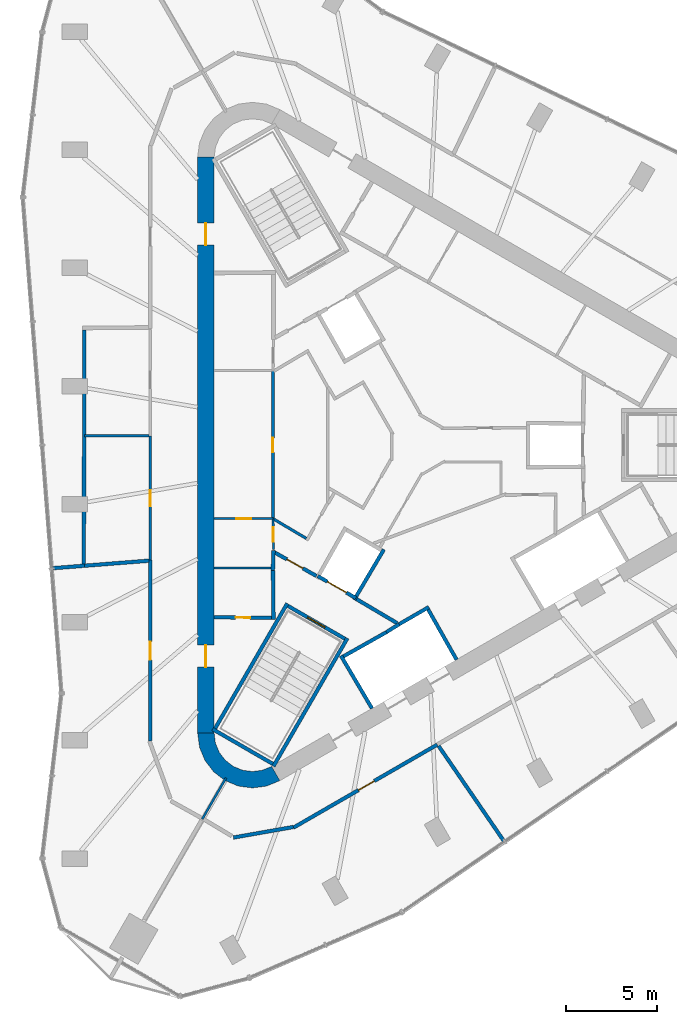
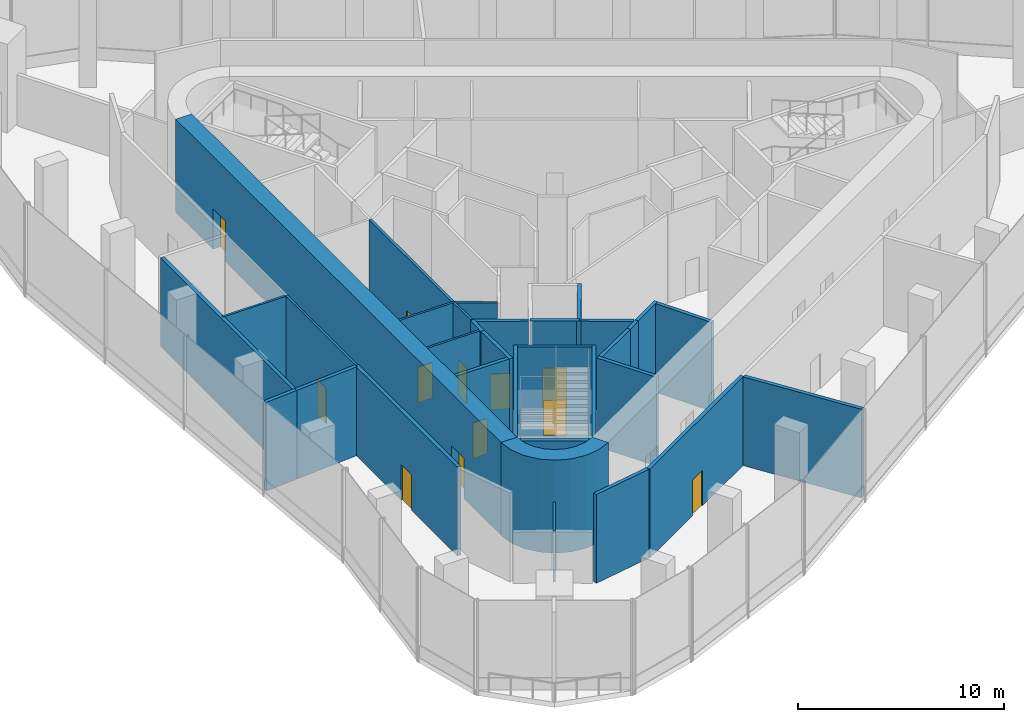
# One storey, part 7 of 13: 33 walls, 12 doors, 12 openings.
"""IFC4 building model written with IfcOpenShell, lengths in metres."""

from ifc_helpers import new_model, si_unit, direction, frame, frame_2d, origin, place, context, subcontext, project, spatial, polyline, rectangle, outline, extrude, material, layer, layer_set, type_object, element, fill, save


model = new_model("IFC4")

# Units and contexts
model_context = context("Model", 3, precision=1e-05, world=origin(), true_north=direction((0.0, 1.0)))
body_context = subcontext(model_context, "Body", "Model", "MODEL_VIEW")
ifc_project = project(units=[si_unit("LENGTHUNIT", "METRE"), si_unit("AREAUNIT", "SQUARE_METRE"), si_unit("VOLUMEUNIT", "CUBIC_METRE"), si_unit("PLANEANGLEUNIT", "RADIAN"), si_unit("MASSUNIT", "GRAM", prefix="KILO")], contexts=[model_context])

# Site, building, storey
site_placement = place(None, origin())
site = spatial("IfcSite", under=ifc_project, at=site_placement, CompositionType="ELEMENT")
building_placement = place(site_placement, origin())
building = spatial("IfcBuilding", under=site, at=building_placement, Name="Tanit Gate Tower", CompositionType="ELEMENT")
storey_placement = place(building_placement, frame((0.0, 0.0, 404.800048828125)))
storey = spatial("IfcBuildingStorey", under=building, at=storey_placement, Name="L92", CompositionType="ELEMENT", Elevation=404.800048828125)

# Wall, openings, doors
ifc_material_1 = material(Name="Concrete C40/50", Category="concrete")
ifc_layer_1 = layer(ifc_material_1, 0.89990234375)
ifc_layer_set_1 = layer_set([ifc_layer_1], Name="CORE WALL 900 C40/50")
wall_type_1 = type_object("IfcWallType", Name="CORE WALL 900 C40/50", PredefinedType="SHEAR", material=ifc_layer_set_1)
wall_1_placement = place(storey_placement, frame((-11.64990234375, 15.76171875, 0.0), z_axis=(0.0, 0.0, 1.0), x_axis=(0.0, -1.0, 0.0)))
wall_1 = element("IfcWall", 1, at=wall_1_placement, inside=storey, type_object=wall_type_1, Name="CORE WALL", PredefinedType="SHEAR", context=body_context, shape_type="SweptSolid", body=[
    extrude(rectangle(XDim=31.5234375, YDim=0.89990234375, at=frame_2d((15.76171875, 0.0))), origin(), (0.0, 0.0, 1.0), 5.5),
])
opening_1_placement = place(wall_1_placement, frame((3.61181640625, 0.0, 0.0)))
opening_1 = element("IfcOpeningElement", 2, at=opening_1_placement, cuts=wall_1, Name="Opening F12-92-FL2", PredefinedType="OPENING", context=body_context, shape_type="SweptSolid", body=[
    extrude(rectangle(XDim=1.199951171875, YDim=2.39990234375, at=frame_2d((0.60009765625, 1.199951171875))), frame((0.0, 0.4599609375, 0.0), z_axis=(0.0, -1.0, 0.0), x_axis=(1.0, 0.0, 0.0)), (0.0, 0.0, 1.0), 0.919921875),
])
opening_2_placement = place(wall_1_placement, frame((26.711669921875, 0.0, 0.0)))
opening_2 = element("IfcOpeningElement", 3, at=opening_2_placement, cuts=wall_1, Name="Opening F12-92-S3", PredefinedType="OPENING", context=body_context, shape_type="SweptSolid", body=[
    extrude(rectangle(XDim=1.199951171875, YDim=2.39990234375, at=frame_2d((0.60009765625, 1.199951171875))), frame((0.0, 0.4599609375, 0.0), z_axis=(0.0, -1.0, 0.0), x_axis=(1.0, 0.0, 0.0)), (0.0, 0.0, 1.0), 0.919921875),
])
ifc_material_2 = material(Name="Fire-rated steel door leaf", Category="steel")
door_type_1 = type_object("IfcDoorType", Name="INT-DOOR-FIRE-LOBBY-1200", OperationType="NOTDEFINED", PredefinedType="USERDEFINED", material=ifc_material_2)
door_1_placement = place(opening_1_placement, origin())
door_1 = element("IfcDoor", 4, at=door_1_placement, inside=storey, type_object=door_type_1, Name="Door F12-92-FL2", ObjectType="FIRE DOOR", OperationType="SINGLE_SWING_LEFT", OverallHeight=2.39990234375, OverallWidth=1.199951171875, PredefinedType="USERDEFINED", context=body_context, shape_type="SweptSolid", body=[
    extrude(rectangle(XDim=1.199951171875, YDim=2.39990234375, at=frame_2d((0.60009765625, 1.199951171875))), frame((0.0, 0.02490234375, 0.0), z_axis=(0.0, -1.0, 0.0), x_axis=(1.0, 0.0, 0.0)), (0.0, 0.0, 1.0), 0.050048828125),
])
fill(opening_1, door_1)
door_2_placement = place(opening_2_placement, origin())
door_2 = element("IfcDoor", 5, at=door_2_placement, inside=storey, type_object=door_type_1, Name="Door F12-92-S3", ObjectType="FIRE DOOR", OperationType="SINGLE_SWING_LEFT", OverallHeight=2.39990234375, OverallWidth=1.199951171875, PredefinedType="USERDEFINED", context=body_context, shape_type="SweptSolid", body=[
    extrude(rectangle(XDim=1.199951171875, YDim=2.39990234375, at=frame_2d((0.60009765625, 1.199951171875))), frame((0.0, 0.02490234375, 0.0), z_axis=(0.0, -1.0, 0.0), x_axis=(1.0, 0.0, 0.0)), (0.0, 0.0, 1.0), 0.050048828125),
])
fill(opening_2, door_2)

# Walls
wall_2_placement = place(storey_placement, origin())
element("IfcWall", 6, at=wall_2_placement, inside=storey, type_object=wall_type_1, Name="CORE WALL CORNER", PredefinedType="SHEAR", context=body_context, shape_type="SweptSolid", body=[
    extrude(outline(polyline([(-12.10009765625, -15.76171875), (-11.997802734375, -16.5380859375), (-11.697998046875, -17.26171875), (-11.22119140625, -17.883056640625), (-10.60009765625, -18.359619140625), (-9.87646484375, -18.659423828125), (-9.10009765625, -18.76171875), (-8.323486328125, -18.659423828125), (-7.60009765625, -18.359619140625), (-8.050048828125, -17.580322265625), (-8.556396484375, -17.7900390625), (-9.10009765625, -17.86181640625), (-9.6435546875, -17.7900390625), (-10.14990234375, -17.580322265625), (-10.5849609375, -17.24658203125), (-10.918701171875, -16.811767578125), (-11.12841796875, -16.30517578125), (-11.199951171875, -15.76171875), (-12.10009765625, -15.76171875)])), origin(), (0.0, 0.0, 1.0), 5.5),
])
ifc_material_3 = material(Name="Fire-rated gypsum board partition")
ifc_layer_2 = layer(ifc_material_3, 0.199951171875)
ifc_layer_set_2 = layer_set([ifc_layer_2], Name="INT-WALL-COMPARTMENT")
wall_type_2 = type_object("IfcWallType", Name="INT-WALL-COMPARTMENT", PredefinedType="PARTITIONING", material=ifc_layer_set_2)
wall_3_placement = place(storey_placement, frame((-7.983154296875, -6.849853515625, 0.0), z_axis=(0.0, 0.0, 1.0), x_axis=(0.030803413295, 0.999525462272, 0.0)))
element("IfcWall", 7, at=wall_3_placement, inside=storey, type_object=wall_type_2, Name="Wall Compartment W045", PredefinedType="PARTITIONING", context=body_context, shape_type="SweptSolid", body=[
    extrude(rectangle(XDim=1.077880859375, YDim=0.199951171875, at=frame_2d((0.5390625, 0.0))), origin(), (0.0, 0.0, 1.0), 5.25),
])
wall_4_placement = place(storey_placement, frame((-7.948974609375, -9.550048828125, 0.0), z_axis=(0.0, 0.0, 1.0), x_axis=(-0.011121475088, 0.999938154483, 0.0)))
element("IfcWall", 8, at=wall_4_placement, inside=storey, type_object=wall_type_2, Name="Wall Compartment W047", PredefinedType="PARTITIONING", context=body_context, shape_type="SweptSolid", body=[
    extrude(rectangle(XDim=2.7001953125, YDim=0.199951171875, at=frame_2d((1.35009765625, 0.0))), origin(), (0.0, 0.0, 1.0), 5.25),
])

# Wall, opening, door
wall_5_placement = place(storey_placement, frame((-11.199951171875, -9.419921875, 0.0), z_axis=(0.0, 0.0, 1.0), x_axis=(0.999957467379, -0.009222983926, 0.0)))
wall_5 = element("IfcWall", 9, at=wall_5_placement, inside=storey, type_object=wall_type_2, Name="Wall Compartment W048", PredefinedType="PARTITIONING", context=body_context, shape_type="SweptSolid", body=[
    extrude(rectangle(XDim=3.150146484375, YDim=0.199951171875, at=frame_2d((1.5751953125, 0.0))), origin(), (0.0, 0.0, 1.0), 5.25),
])
opening_3_placement = place(wall_5_placement, frame((1.175048828125, 0.0, 0.0)))
opening_3 = element("IfcOpeningElement", 10, at=opening_3_placement, cuts=wall_5, Name="Opening R08-92-18", PredefinedType="OPENING", context=body_context, shape_type="SweptSolid", body=[
    extrude(rectangle(XDim=0.800048828125, YDim=2.10009765625, at=frame_2d((0.39990234375, 1.050048828125))), frame((0.0, 0.10986328125, 0.0), z_axis=(0.0, -1.0, 0.0), x_axis=(1.0, 0.0, 0.0)), (0.0, 0.0, 1.0), 0.219970703125),
])
ifc_material_4 = material(Name="Timber door leaf", Category="wood")
door_type_2 = type_object("IfcDoorType", Name="INT-DOOR-RISER-800", OperationType="NOTDEFINED", PredefinedType="USERDEFINED", material=ifc_material_4)
door_3_placement = place(opening_3_placement, origin())
door_3 = element("IfcDoor", 11, at=door_3_placement, inside=storey, type_object=door_type_2, Name="Door R08-92-18", ObjectType="FIRE DOOR", OperationType="SINGLE_SWING_RIGHT", OverallHeight=2.10009765625, OverallWidth=0.800048828125, PredefinedType="USERDEFINED", context=body_context, shape_type="SweptSolid", body=[
    extrude(rectangle(XDim=0.800048828125, YDim=2.10009765625, at=frame_2d((0.39990234375, 1.050048828125))), frame((0.0, 0.02490234375, 0.0), z_axis=(0.0, -1.0, 0.0), x_axis=(1.0, 0.0, 0.0)), (0.0, 0.0, 1.0), 0.050048828125),
])
fill(opening_3, door_3)

# Wall
wall_6_placement = place(storey_placement, frame((-3.400634765625, -8.43017578125, 0.0), z_axis=(0.0, 0.0, 1.0), x_axis=(0.860630814782, -0.509229418482, 0.0)))
element("IfcWall", 12, at=wall_6_placement, inside=storey, type_object=wall_type_2, Name="Wall Compartment W066", PredefinedType="PARTITIONING", context=body_context, shape_type="SweptSolid", body=[
    extrude(rectangle(XDim=2.581787109375, YDim=0.199951171875, at=frame_2d((1.291015625, 0.0))), origin(), (0.0, 0.0, 1.0), 5.25),
])

# Wall, opening, door
wall_7_placement = place(storey_placement, frame((-7.9599609375, -5.831298828125, 0.0), z_axis=(0.0, 0.0, 1.0), x_axis=(0.871327438366, -0.490702043148, 0.0)))
wall_7 = element("IfcWall", 13, at=wall_7_placement, inside=storey, type_object=wall_type_2, Name="Wall Compartment W067", PredefinedType="PARTITIONING", context=body_context, shape_type="SweptSolid", body=[
    extrude(rectangle(XDim=2.7080078125, YDim=0.199951171875, at=frame_2d((1.35400390625, 0.0))), origin(), (0.0, 0.0, 1.0), 5.25),
])
opening_4_placement = place(wall_7_placement, frame((0.859619140625, 0.0, 0.0)))
opening_4 = element("IfcOpeningElement", 14, at=opening_4_placement, cuts=wall_7, Name="Opening F10-92-08", PredefinedType="OPENING", context=body_context, shape_type="SweptSolid", body=[
    extrude(rectangle(XDim=1.0, YDim=2.10009765625, at=frame_2d((0.5, 1.050048828125))), frame((0.0, 0.10986328125, 0.0), z_axis=(0.0, -1.0, 0.0), x_axis=(1.0, 0.0, 0.0)), (0.0, 0.0, 1.0), 0.219970703125),
])
ifc_material_5 = material(Name="Fire-rated steel door leaf", Category="steel")
door_type_3 = type_object("IfcDoorType", Name="INT-DOOR-FIRE-1000", OperationType="NOTDEFINED", PredefinedType="USERDEFINED", material=ifc_material_5)
door_4_placement = place(opening_4_placement, origin())
door_4 = element("IfcDoor", 15, at=door_4_placement, inside=storey, type_object=door_type_3, Name="Door F10-92-08", ObjectType="FIRE DOOR", OperationType="SINGLE_SWING_LEFT", OverallHeight=2.10009765625, OverallWidth=1.0, PredefinedType="USERDEFINED", context=body_context, shape_type="SweptSolid", body=[
    extrude(rectangle(XDim=1.0, YDim=2.10009765625, at=frame_2d((0.5, 1.050048828125))), frame((0.0, 0.02490234375, 0.0), z_axis=(0.0, -1.0, 0.0), x_axis=(1.0, 0.0, 0.0)), (0.0, 0.0, 1.0), 0.050048828125),
])
fill(opening_4, door_4)

wall_8_placement = place(storey_placement, frame((-14.699951171875, -6.294921875, 0.0), z_axis=(0.0, 0.0, 1.0), x_axis=(0.0, -1.0, 0.0)))
wall_8 = element("IfcWall", 16, at=wall_8_placement, inside=storey, type_object=wall_type_2, Name="Wall Compartment W098", PredefinedType="PARTITIONING", context=body_context, shape_type="SweptSolid", body=[
    extrude(rectangle(XDim=9.904541015625, YDim=0.199951171875, at=frame_2d((4.9521484375, 0.0))), origin(), (0.0, 0.0, 1.0), 5.25),
])
opening_5_placement = place(wall_8_placement, frame((4.456298828125, 0.0, 0.0)))
opening_5 = element("IfcOpeningElement", 17, at=opening_5_placement, cuts=wall_8, Name="Opening F10-92-29", PredefinedType="OPENING", context=body_context, shape_type="SweptSolid", body=[
    extrude(rectangle(XDim=1.0, YDim=2.10009765625, at=frame_2d((0.5, 1.050048828125))), frame((0.0, 0.10986328125, 0.0), z_axis=(0.0, -1.0, 0.0), x_axis=(1.0, 0.0, 0.0)), (0.0, 0.0, 1.0), 0.219970703125),
])
door_5_placement = place(opening_5_placement, origin())
door_5 = element("IfcDoor", 18, at=door_5_placement, inside=storey, type_object=door_type_3, Name="Door F10-92-29", ObjectType="FIRE DOOR", OperationType="SINGLE_SWING_LEFT", OverallHeight=2.10009765625, OverallWidth=1.0, PredefinedType="USERDEFINED", context=body_context, shape_type="SweptSolid", body=[
    extrude(rectangle(XDim=1.0, YDim=2.10009765625, at=frame_2d((0.5, 1.050048828125))), frame((0.0, 0.02490234375, 0.0), z_axis=(0.0, -1.0, 0.0), x_axis=(1.0, 0.0, 0.0)), (0.0, 0.0, 1.0), 0.050048828125),
])
fill(opening_5, door_5)

# Walls
wall_9_placement = place(storey_placement, frame((-18.30029296875, 6.3115234375, 0.0), z_axis=(0.0, 0.0, 1.0), x_axis=(-0.002282237823, -0.999997395692, 0.0)))
element("IfcWall", 19, at=wall_9_placement, inside=storey, type_object=wall_type_2, Name="Wall Compartment W103", PredefinedType="PARTITIONING", context=body_context, shape_type="SweptSolid", body=[
    extrude(rectangle(XDim=12.94384765625, YDim=0.199951171875, at=frame_2d((6.471923828125, 0.0))), origin(), (0.0, 0.0, 1.0), 5.25),
])
wall_10_placement = place(storey_placement, frame((-20.08740234375, -6.739501953125, 0.0), z_axis=(0.0, 0.0, 1.0), x_axis=(0.996972211826, 0.077758657691, 0.0)))
element("IfcWall", 20, at=wall_10_placement, inside=storey, type_object=wall_type_2, Name="Wall Compartment W104", PredefinedType="PARTITIONING", context=body_context, shape_type="SweptSolid", body=[
    extrude(rectangle(XDim=1.792724609375, YDim=0.199951171875, at=frame_2d((0.896484375, 0.0))), origin(), (0.0, 0.0, 1.0), 5.25),
])
wall_11_placement = place(storey_placement, frame((-14.760009765625, -6.32373046875, 0.0), z_axis=(0.0, 0.0, 1.0), x_axis=(-0.99696647774, -0.077832141573, 0.0)))
element("IfcWall", 21, at=wall_11_placement, inside=storey, type_object=wall_type_2, Name="Wall Compartment W108", PredefinedType="PARTITIONING", context=body_context, shape_type="SweptSolid", body=[
    extrude(rectangle(XDim=3.55078125, YDim=0.199951171875, at=frame_2d((1.775390625, 0.0))), origin(), (0.0, 0.0, 1.0), 5.25),
])

# Wall, opening, door
wall_12_placement = place(storey_placement, frame((-6.852294921875, -20.930419921875, 0.0), z_axis=(0.0, 0.0, 1.0), x_axis=(0.866016739626, 0.500015006463, 0.0)))
wall_12 = element("IfcWall", 22, at=wall_12_placement, inside=storey, type_object=wall_type_2, Name="Wall Compartment W121", PredefinedType="PARTITIONING", context=body_context, shape_type="SweptSolid", body=[
    extrude(rectangle(XDim=9.077880859375, YDim=0.199951171875, at=frame_2d((4.5390625, 0.0))), origin(), (0.0, 0.0, 1.0), 5.25),
])
opening_6_placement = place(wall_12_placement, frame((4.10009765625, 0.0, 0.0)))
opening_6 = element("IfcOpeningElement", 23, at=opening_6_placement, cuts=wall_12, Name="Opening F10-92-32", PredefinedType="OPENING", context=body_context, shape_type="SweptSolid", body=[
    extrude(rectangle(XDim=1.0, YDim=2.10009765625, at=frame_2d((0.5, 1.050048828125))), frame((0.0, 0.10986328125, 0.0), z_axis=(0.0, -1.0, 0.0), x_axis=(1.0, 0.0, 0.0)), (0.0, 0.0, 1.0), 0.219970703125),
])
door_6_placement = place(opening_6_placement, origin())
door_6 = element("IfcDoor", 24, at=door_6_placement, inside=storey, type_object=door_type_3, Name="Door F10-92-32", ObjectType="FIRE DOOR", OperationType="SINGLE_SWING_LEFT", OverallHeight=2.10009765625, OverallWidth=1.0, PredefinedType="USERDEFINED", context=body_context, shape_type="SweptSolid", body=[
    extrude(rectangle(XDim=1.0, YDim=2.10009765625, at=frame_2d((0.5, 1.050048828125))), frame((0.0, 0.02490234375, 0.0), z_axis=(0.0, -1.0, 0.0), x_axis=(1.0, 0.0, 0.0)), (0.0, 0.0, 1.0), 0.050048828125),
])
fill(opening_6, door_6)

# Walls
wall_13_placement = place(storey_placement, frame((-10.14306640625, -21.475830078125, 0.0), z_axis=(0.0, 0.0, 1.0), x_axis=(0.98480864774, 0.173643103339, 0.0)))
element("IfcWall", 25, at=wall_13_placement, inside=storey, type_object=wall_type_2, Name="Wall Compartment W122", PredefinedType="PARTITIONING", context=body_context, shape_type="SweptSolid", body=[
    extrude(rectangle(XDim=3.329345703125, YDim=0.199951171875, at=frame_2d((1.66455078125, 0.0))), origin(), (0.0, 0.0, 1.0), 5.25),
])
wall_14_placement = place(storey_placement, frame((4.687744140625, -21.708740234375, 0.0), z_axis=(0.0, 0.0, 1.0), x_axis=(-0.565893636681, 0.824478254391, 0.0)))
element("IfcWall", 26, at=wall_14_placement, inside=storey, type_object=wall_type_2, Name="Wall Compartment W128", PredefinedType="PARTITIONING", context=body_context, shape_type="SweptSolid", body=[
    extrude(rectangle(XDim=6.363525390625, YDim=0.199951171875, at=frame_2d((3.181640625, 0.0))), origin(), (0.0, 0.0, 1.0), 5.25),
])

# Wall, opening, door
ifc_material_6 = material(Name="Gypsum board partition")
ifc_layer_3 = layer(ifc_material_6, 0.1201171875)
ifc_layer_set_3 = layer_set([ifc_layer_3], Name="INT-WALL-PARTITION")
wall_type_3 = type_object("IfcWallType", Name="INT-WALL-PARTITION", PredefinedType="PARTITIONING", material=ifc_layer_set_3)
wall_15_placement = place(storey_placement, frame((-11.199951171875, -4.02001953125, 0.0), z_axis=(0.0, 0.0, 1.0), x_axis=(1.0, 0.0, 0.0)))
wall_15 = element("IfcWall", 27, at=wall_15_placement, inside=storey, type_object=wall_type_3, Name="Wall Partition W042", PredefinedType="PARTITIONING", context=body_context, shape_type="SweptSolid", body=[
    extrude(rectangle(XDim=3.25, YDim=0.1201171875, at=frame_2d((1.625, 0.0))), origin(), (0.0, 0.0, 1.0), 5.25),
])
opening_7_placement = place(wall_15_placement, frame((1.22509765625, 0.0, 0.0)))
opening_7 = element("IfcOpeningElement", 28, at=opening_7_placement, cuts=wall_15, Name="Opening R08-92-16", PredefinedType="OPENING", context=body_context, shape_type="SweptSolid", body=[
    extrude(rectangle(XDim=0.800048828125, YDim=2.10009765625, at=frame_2d((0.39990234375, 1.050048828125))), frame((0.0, 0.070068359375, 0.0), z_axis=(0.0, -1.0, 0.0), x_axis=(1.0, 0.0, 0.0)), (0.0, 0.0, 1.0), 0.14013671875),
])
door_7_placement = place(opening_7_placement, origin())
door_7 = element("IfcDoor", 29, at=door_7_placement, inside=storey, type_object=door_type_2, Name="Door R08-92-16", ObjectType="FIRE DOOR", OperationType="SINGLE_SWING_RIGHT", OverallHeight=2.10009765625, OverallWidth=0.800048828125, PredefinedType="USERDEFINED", context=body_context, shape_type="SweptSolid", body=[
    extrude(rectangle(XDim=0.800048828125, YDim=2.10009765625, at=frame_2d((0.39990234375, 1.050048828125))), frame((0.0, 0.02490234375, 0.0), z_axis=(0.0, -1.0, 0.0), x_axis=(1.0, 0.0, 0.0)), (0.0, 0.0, 1.0), 0.050048828125),
])
fill(opening_7, door_7)

# Wall
wall_16_placement = place(storey_placement, frame((-11.199951171875, -6.719970703125, 0.0), z_axis=(0.0, 0.0, 1.0), x_axis=(1.0, 0.0, 0.0)))
element("IfcWall", 30, at=wall_16_placement, inside=storey, type_object=wall_type_3, Name="Wall Partition W044", PredefinedType="PARTITIONING", context=body_context, shape_type="SweptSolid", body=[
    extrude(rectangle(XDim=3.25, YDim=0.1201171875, at=frame_2d((1.625, 0.0))), origin(), (0.0, 0.0, 1.0), 5.25),
])

# Wall, opening, door
wall_17_placement = place(storey_placement, frame((-7.951416015625, -5.721435546875, 0.0), z_axis=(0.0, 0.0, 1.0), x_axis=(-0.011976938133, 0.999928273904, 0.0)))
wall_17 = element("IfcWall", 31, at=wall_17_placement, inside=storey, type_object=wall_type_3, Name="Wall Partition W046", PredefinedType="PARTITIONING", context=body_context, shape_type="SweptSolid", body=[
    extrude(rectangle(XDim=1.67138671875, YDim=0.1201171875, at=frame_2d((0.835693359375, 0.0))), origin(), (0.0, 0.0, 1.0), 5.25),
])
opening_8_placement = place(wall_17_placement, frame((0.435791015625, 0.0, 0.0)))
opening_8 = element("IfcOpeningElement", 32, at=opening_8_placement, cuts=wall_17, Name="Opening R08-92-17", PredefinedType="OPENING", context=body_context, shape_type="SweptSolid", body=[
    extrude(rectangle(XDim=0.800048828125, YDim=2.10009765625, at=frame_2d((0.39990234375, 1.050048828125))), frame((0.0, 0.070068359375, 0.0), z_axis=(0.0, -1.0, 0.0), x_axis=(1.0, 0.0, 0.0)), (0.0, 0.0, 1.0), 0.14013671875),
])
door_8_placement = place(opening_8_placement, origin())
door_8 = element("IfcDoor", 33, at=door_8_placement, inside=storey, type_object=door_type_2, Name="Door R08-92-17", ObjectType="FIRE DOOR", OperationType="SINGLE_SWING_RIGHT", OverallHeight=2.10009765625, OverallWidth=0.800048828125, PredefinedType="USERDEFINED", context=body_context, shape_type="SweptSolid", body=[
    extrude(rectangle(XDim=0.800048828125, YDim=2.10009765625, at=frame_2d((0.39990234375, 1.050048828125))), frame((0.0, 0.02490234375, 0.0), z_axis=(0.0, -1.0, 0.0), x_axis=(1.0, 0.0, 0.0)), (0.0, 0.0, 1.0), 0.050048828125),
])
fill(opening_8, door_8)

wall_18_placement = place(storey_placement, frame((-14.699951171875, 0.5126953125, 0.0), z_axis=(0.0, 0.0, 1.0), x_axis=(0.0, -1.0, 0.0)))
wall_18 = element("IfcWall", 34, at=wall_18_placement, inside=storey, type_object=wall_type_3, Name="Wall Partition W094", PredefinedType="PARTITIONING", context=body_context, shape_type="SweptSolid", body=[
    extrude(rectangle(XDim=6.8076171875, YDim=0.1201171875, at=frame_2d((3.40380859375, 0.0))), origin(), (0.0, 0.0, 1.0), 5.25),
])
opening_9_placement = place(wall_18_placement, frame((2.969970703125, 0.0, 0.0)))
opening_9 = element("IfcOpeningElement", 35, at=opening_9_placement, cuts=wall_18, Name="Opening D09-92-27", PredefinedType="OPENING", context=body_context, shape_type="SweptSolid", body=[
    extrude(rectangle(XDim=0.89990234375, YDim=2.10009765625, at=frame_2d((0.449951171875, 1.050048828125))), frame((0.0, 0.070068359375, 0.0), z_axis=(0.0, -1.0, 0.0), x_axis=(1.0, 0.0, 0.0)), (0.0, 0.0, 1.0), 0.14013671875),
])
ifc_material_7 = material(Name="Timber door leaf", Category="wood")
door_type_4 = type_object("IfcDoorType", Name="INT-DOOR-SINGLE-900", OperationType="NOTDEFINED", PredefinedType="NOTDEFINED", material=ifc_material_7)
door_9_placement = place(opening_9_placement, origin())
door_9 = element("IfcDoor", 36, at=door_9_placement, inside=storey, type_object=door_type_4, Name="Door D09-92-27", OperationType="SINGLE_SWING_RIGHT", OverallHeight=2.10009765625, OverallWidth=0.89990234375, PredefinedType="NOTDEFINED", context=body_context, shape_type="SweptSolid", body=[
    extrude(rectangle(XDim=0.89990234375, YDim=2.10009765625, at=frame_2d((0.449951171875, 1.050048828125))), frame((0.0, 0.02490234375, 0.0), z_axis=(0.0, -1.0, 0.0), x_axis=(1.0, 0.0, 0.0)), (0.0, 0.0, 1.0), 0.050048828125),
])
fill(opening_9, door_9)

# Walls
wall_19_placement = place(storey_placement, frame((-10.549072265625, -18.211669921875, 0.0), z_axis=(0.0, 0.0, 1.0), x_axis=(-0.500047596559, -0.865997922154, 0.0)))
element("IfcWall", 37, at=wall_19_placement, inside=storey, type_object=wall_type_3, Name="Wall Partition W100", PredefinedType="PARTITIONING", context=body_context, shape_type="SweptSolid", body=[
    extrude(rectangle(XDim=2.599853515625, YDim=0.1201171875, at=frame_2d((1.2998046875, 0.0))), origin(), (0.0, 0.0, 1.0), 3.02001953125),
])
wall_20_placement = place(storey_placement, frame((-14.760009765625, 0.5126953125, 0.0), z_axis=(0.0, 0.0, 1.0), x_axis=(-1.0, 0.0, 0.0)))
element("IfcWall", 38, at=wall_20_placement, inside=storey, type_object=wall_type_3, Name="Wall Partition W107", PredefinedType="PARTITIONING", context=body_context, shape_type="SweptSolid", body=[
    extrude(rectangle(XDim=3.5400390625, YDim=0.1201171875, at=frame_2d((1.77001953125, 0.0))), origin(), (0.0, 0.0, 1.0), 5.25),
])

# Wall, opening, door
ifc_material_8 = material(Name="Fire-rated gypsum board partition")
ifc_layer_4 = layer(ifc_material_8, 0.14990234375)
ifc_layer_set_4 = layer_set([ifc_layer_4], Name="INT-WALL-RISER")
wall_type_4 = type_object("IfcWallType", Name="INT-WALL-RISER", PredefinedType="PLUMBINGWALL", material=ifc_layer_set_4)
wall_21_placement = place(storey_placement, frame((-7.97998046875, 4.050048828125, 0.0), z_axis=(0.0, 0.0, 1.0), x_axis=(0.0, -1.0, 0.0)))
wall_21 = element("IfcWall", 39, at=wall_21_placement, inside=storey, type_object=wall_type_4, Name="Wall Riser W043", PredefinedType="PLUMBINGWALL", context=body_context, shape_type="SweptSolid", body=[
    extrude(rectangle(XDim=8.10009765625, YDim=0.14990234375, at=frame_2d((4.050048828125, 0.0))), origin(), (0.0, 0.0, 1.0), 5.25),
])
opening_10_placement = place(wall_21_placement, frame((3.64990234375, 0.0, 0.0)))
opening_10 = element("IfcOpeningElement", 40, at=opening_10_placement, cuts=wall_21, Name="Opening R08-92-24", PredefinedType="OPENING", context=body_context, shape_type="SweptSolid", body=[
    extrude(rectangle(XDim=0.800048828125, YDim=2.10009765625, at=frame_2d((0.39990234375, 1.050048828125))), frame((0.0, 0.0849609375, 0.0), z_axis=(0.0, -1.0, 0.0), x_axis=(1.0, 0.0, 0.0)), (0.0, 0.0, 1.0), 0.169921875),
])
door_10_placement = place(opening_10_placement, origin())
door_10 = element("IfcDoor", 41, at=door_10_placement, inside=storey, type_object=door_type_2, Name="Door R08-92-24", ObjectType="FIRE DOOR", OperationType="SINGLE_SWING_LEFT", OverallHeight=2.10009765625, OverallWidth=0.800048828125, PredefinedType="USERDEFINED", context=body_context, shape_type="SweptSolid", body=[
    extrude(rectangle(XDim=0.800048828125, YDim=2.10009765625, at=frame_2d((0.39990234375, 1.050048828125))), frame((0.0, 0.02490234375, 0.0), z_axis=(0.0, -1.0, 0.0), x_axis=(1.0, 0.0, 0.0)), (0.0, 0.0, 1.0), 0.050048828125),
])
fill(opening_10, door_10)

# Walls
wall_22_placement = place(storey_placement, frame((-7.949951171875, -4.041015625, 0.0), z_axis=(0.0, 0.0, 1.0), x_axis=(0.860090281069, -0.510141851263, 0.0)))
element("IfcWall", 42, at=wall_22_placement, inside=storey, type_object=wall_type_4, Name="Wall Riser W081", PredefinedType="PLUMBINGWALL", context=body_context, shape_type="SweptSolid", body=[
    extrude(rectangle(XDim=2.08935546875, YDim=0.14990234375, at=frame_2d((1.044677734375, 0.0))), origin(), (0.0, 0.0, 1.0), 5.25),
])
ifc_material_9 = material(Name="Gypsum shaft wall system")
ifc_layer_5 = layer(ifc_material_9, 0.199951171875)
ifc_layer_set_5 = layer_set([ifc_layer_5], Name="INT-WALL-SHAFT")
wall_type_5 = type_object("IfcWallType", Name="INT-WALL-SHAFT", PredefinedType="PLUMBINGWALL", material=ifc_layer_set_5)
wall_23_placement = place(storey_placement, frame((-2.557861328125, -14.409423828125, 0.0), z_axis=(0.0, 0.0, 1.0), x_axis=(-0.507997497166, 0.861358544901, 0.0)))
element("IfcWall", 43, at=wall_23_placement, inside=storey, type_object=wall_type_5, Name="Wall Shaft W001", PredefinedType="PLUMBINGWALL", context=body_context, shape_type="SweptSolid", body=[
    extrude(rectangle(XDim=3.350341796875, YDim=0.199951171875, at=frame_2d((1.67529296875, 0.0))), origin(), (0.0, 0.0, 1.0), 5.25),
])
wall_24_placement = place(storey_placement, frame((-1.7685546875, -10.23681640625, 0.0), z_axis=(0.0, 0.0, 1.0), x_axis=(-0.871534483978, -0.490334215854, 0.0)))
element("IfcWall", 44, at=wall_24_placement, inside=storey, type_object=wall_type_5, Name="Wall Shaft W002", PredefinedType="PLUMBINGWALL", context=body_context, shape_type="SweptSolid", body=[
    extrude(rectangle(XDim=2.7001953125, YDim=0.199951171875, at=frame_2d((1.35009765625, 0.0))), origin(), (0.0, 0.0, 1.0), 5.25),
])
wall_25_placement = place(storey_placement, frame((-1.076416015625, -9.803466796875, 0.0), z_axis=(0.0, 0.0, 1.0), x_axis=(-0.850341601995, -0.526231089842, 0.0)))
element("IfcWall", 45, at=wall_25_placement, inside=storey, type_object=wall_type_5, Name="Wall Shaft W003", PredefinedType="PLUMBINGWALL", context=body_context, shape_type="SweptSolid", body=[
    extrude(rectangle(XDim=0.816650390625, YDim=0.199951171875, at=frame_2d((0.408203125, 0.0))), origin(), (0.0, 0.0, 1.0), 5.25),
])
wall_26_placement = place(storey_placement, frame((-1.077392578125, -9.802001953125, 0.0), z_axis=(0.0, 0.0, 1.0), x_axis=(0.865993522811, 0.500055215401, 0.0)))
element("IfcWall", 46, at=wall_26_placement, inside=storey, type_object=wall_type_5, Name="Wall Shaft W004", PredefinedType="PLUMBINGWALL", context=body_context, shape_type="SweptSolid", body=[
    extrude(rectangle(XDim=1.884033203125, YDim=0.199951171875, at=frame_2d((0.94189453125, 0.0))), origin(), (0.0, 0.0, 1.0), 5.25),
])
wall_27_placement = place(storey_placement, frame((0.516845703125, -8.9970703125, 0.0), z_axis=(0.0, 0.0, 1.0), x_axis=(0.491993409184, -0.87059892334, 0.0)))
element("IfcWall", 47, at=wall_27_placement, inside=storey, type_object=wall_type_5, Name="Wall Shaft W005", PredefinedType="PLUMBINGWALL", context=body_context, shape_type="SweptSolid", body=[
    extrude(rectangle(XDim=3.150146484375, YDim=0.199951171875, at=frame_2d((1.5751953125, 0.0))), origin(), (0.0, 0.0, 1.0), 5.25),
])

# Wall, opening, door
wall_28_placement = place(storey_placement, frame((-3.44580078125, -8.3681640625, 0.0), z_axis=(0.0, 0.0, 1.0), x_axis=(-0.866024647952, 0.500001309137, 0.0)))
wall_28 = element("IfcWall", 48, at=wall_28_placement, inside=storey, type_object=wall_type_5, Name="Wall Shaft W033", PredefinedType="PLUMBINGWALL", context=body_context, shape_type="SweptSolid", body=[
    extrude(rectangle(XDim=2.39990234375, YDim=0.199951171875, at=frame_2d((1.199951171875, 0.0))), origin(), (0.0, 0.0, 1.0), 5.25),
])
opening_11_placement = place(wall_28_placement, frame((0.60009765625, 0.0, 0.0)))
opening_11 = element("IfcOpeningElement", 49, at=opening_11_placement, cuts=wall_28, Name="Opening LDFL3-L92", PredefinedType="OPENING", context=body_context, shape_type="SweptSolid", body=[
    extrude(rectangle(XDim=1.199951171875, YDim=2.39990234375, at=frame_2d((0.60009765625, 1.199951171875))), frame((0.0, 0.10986328125, 0.0), z_axis=(0.0, -1.0, 0.0), x_axis=(1.0, 0.0, 0.0)), (0.0, 0.0, 1.0), 0.219970703125),
])
ifc_material_10 = material(Name="Stainless steel sliding door leaf", Category="steel")
door_type_5 = type_object("IfcDoorType", Name="INT-DOOR-LANDING-1200", OperationType="NOTDEFINED", PredefinedType="USERDEFINED", material=ifc_material_10)
door_11_placement = place(opening_11_placement, origin())
door_11 = element("IfcDoor", 50, at=door_11_placement, inside=storey, type_object=door_type_5, Name="Door LDFL3-L92", ObjectType="LANDING DOOR", OperationType="SLIDING_TO_LEFT", OverallHeight=2.39990234375, OverallWidth=1.199951171875, PredefinedType="USERDEFINED", context=body_context, shape_type="SweptSolid", body=[
    extrude(rectangle(XDim=1.199951171875, YDim=2.39990234375, at=frame_2d((0.60009765625, 1.199951171875))), frame((0.0, 0.02490234375, 0.0), z_axis=(0.0, -1.0, 0.0), x_axis=(1.0, 0.0, 0.0)), (0.0, 0.0, 1.0), 0.050048828125),
])
fill(opening_11, door_11)

# Walls
wall_29_placement = place(storey_placement, frame((-1.909912109375, -5.7099609375, 0.0), z_axis=(0.0, 0.0, 1.0), x_axis=(-0.508616218331, -0.860993346345, 0.0)))
element("IfcWall", 51, at=wall_29_placement, inside=storey, type_object=wall_type_5, Name="Wall Shaft W035", PredefinedType="PLUMBINGWALL", context=body_context, shape_type="SweptSolid", body=[
    extrude(rectangle(XDim=3.2001953125, YDim=0.199951171875, at=frame_2d((1.60009765625, 0.0))), origin(), (0.0, 0.0, 1.0), 5.25),
])
ifc_material_11 = material(Name="Concrete C40/50", Category="concrete")
ifc_layer_6 = layer(ifc_material_11, 0.199951171875)
ifc_layer_set_6 = layer_set([ifc_layer_6], Name="INT-WALL-STAIR")
wall_type_6 = type_object("IfcWallType", Name="INT-WALL-STAIR", PredefinedType="SHEAR", material=ifc_layer_set_6)
wall_30_placement = place(storey_placement, frame((-3.904541015625, -10.56298828125, -0.300048828125), z_axis=(0.0, 0.0, 1.0), x_axis=(-0.500012932018, -0.866017937352, 0.0)))
element("IfcWall", 52, at=wall_30_placement, inside=storey, type_object=wall_type_6, Name="Wall Stair W029", PredefinedType="SHEAR", context=body_context, shape_type="SweptSolid", body=[
    extrude(rectangle(XDim=8.099853515625, YDim=0.199951171875, at=frame_2d((4.0498046875, 0.0))), origin(), (0.0, 0.0, 1.0), 5.550048828125),
])
wall_31_placement = place(storey_placement, frame((-11.281982421875, -15.541015625, -0.300048828125), z_axis=(0.0, 0.0, 1.0), x_axis=(0.866000483506, -0.500043160704, 0.0)))
element("IfcWall", 53, at=wall_31_placement, inside=storey, type_object=wall_type_6, Name="Wall Stair W030", PredefinedType="SHEAR", context=body_context, shape_type="SweptSolid", body=[
    extrude(rectangle(XDim=3.800048828125, YDim=0.199951171875, at=frame_2d((1.89990234375, 0.0))), origin(), (0.0, 0.0, 1.0), 5.550048828125),
])
wall_32_placement = place(storey_placement, frame((-7.195556640625, -8.662841796875, -0.300048828125), z_axis=(0.0, 0.0, 1.0), x_axis=(-0.499997992926, -0.866026562566, 0.0)))
element("IfcWall", 54, at=wall_32_placement, inside=storey, type_object=wall_type_6, Name="Wall Stair W031", PredefinedType="SHEAR", context=body_context, shape_type="SweptSolid", body=[
    extrude(rectangle(XDim=7.89990234375, YDim=0.199951171875, at=frame_2d((3.949951171875, 0.0))), origin(), (0.0, 0.0, 1.0), 5.550048828125),
])

# Wall, opening, door
wall_33_placement = place(storey_placement, frame((-4.041259765625, -10.599365234375, -0.300048828125), z_axis=(0.0, 0.0, 1.0), x_axis=(-0.866047807691, 0.499961193289, 0.0)))
wall_33 = element("IfcWall", 55, at=wall_33_placement, inside=storey, type_object=wall_type_6, Name="Wall Stair W032", PredefinedType="SHEAR", context=body_context, shape_type="SweptSolid", body=[
    extrude(rectangle(XDim=3.599853515625, YDim=0.199951171875, at=frame_2d((1.7998046875, 0.0))), origin(), (0.0, 0.0, 1.0), 5.550048828125),
])
opening_12_placement = place(wall_33_placement, frame((1.25, 0.0, 0.300048828125)))
opening_12 = element("IfcOpeningElement", 56, at=opening_12_placement, cuts=wall_33, Name="Opening S11-92-07", PredefinedType="OPENING", context=body_context, shape_type="SweptSolid", body=[
    extrude(rectangle(XDim=1.10009765625, YDim=2.10009765625, at=frame_2d((0.550048828125, 1.050048828125))), frame((0.0, 0.10986328125, 0.0), z_axis=(0.0, -1.0, 0.0), x_axis=(1.0, 0.0, 0.0)), (0.0, 0.0, 1.0), 0.219970703125),
])
ifc_material_12 = material(Name="Timber door leaf", Category="wood")
door_type_6 = type_object("IfcDoorType", Name="INT-DOOR-STAIR-1100", OperationType="NOTDEFINED", PredefinedType="USERDEFINED", material=ifc_material_12)
door_12_placement = place(opening_12_placement, origin())
door_12 = element("IfcDoor", 57, at=door_12_placement, inside=storey, type_object=door_type_6, Name="Door S11-92-07", ObjectType="FIRE DOOR", OperationType="SINGLE_SWING_RIGHT", OverallHeight=2.10009765625, OverallWidth=1.10009765625, PredefinedType="USERDEFINED", context=body_context, shape_type="SweptSolid", body=[
    extrude(rectangle(XDim=1.10009765625, YDim=2.10009765625, at=frame_2d((0.550048828125, 1.050048828125))), frame((0.0, 0.02490234375, 0.0), z_axis=(0.0, -1.0, 0.0), x_axis=(1.0, 0.0, 0.0)), (0.0, 0.0, 1.0), 0.050048828125),
])
fill(opening_12, door_12)

save(model, "model.ifc")
